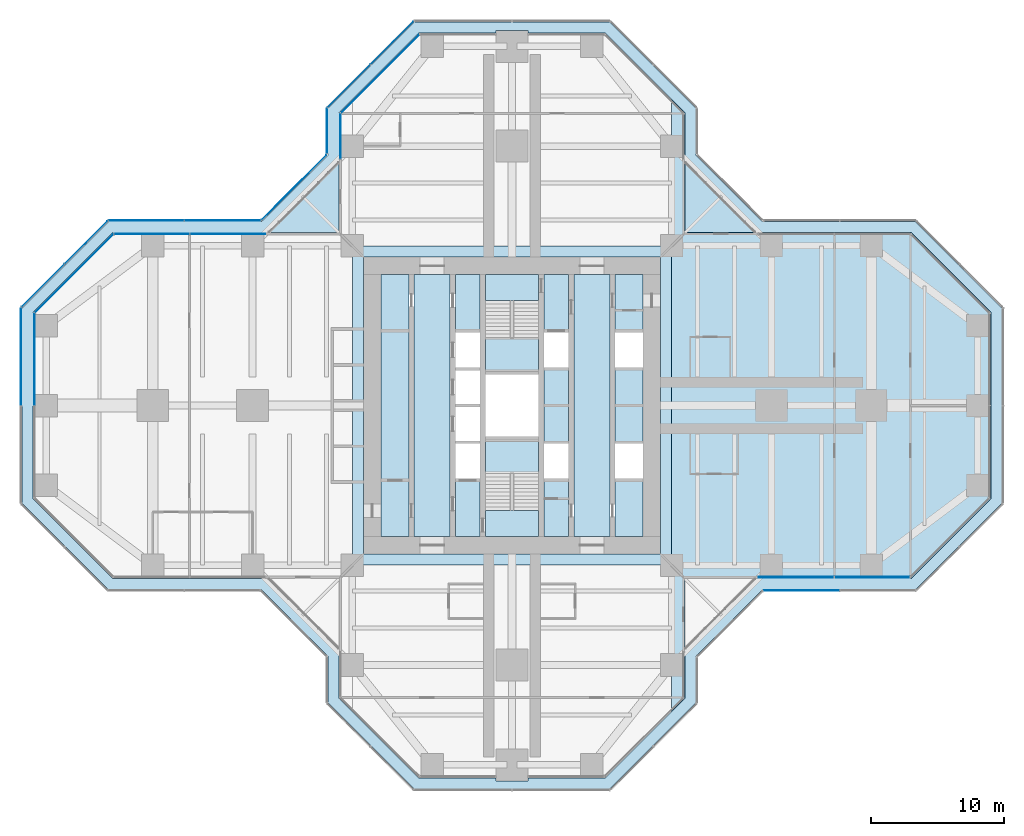
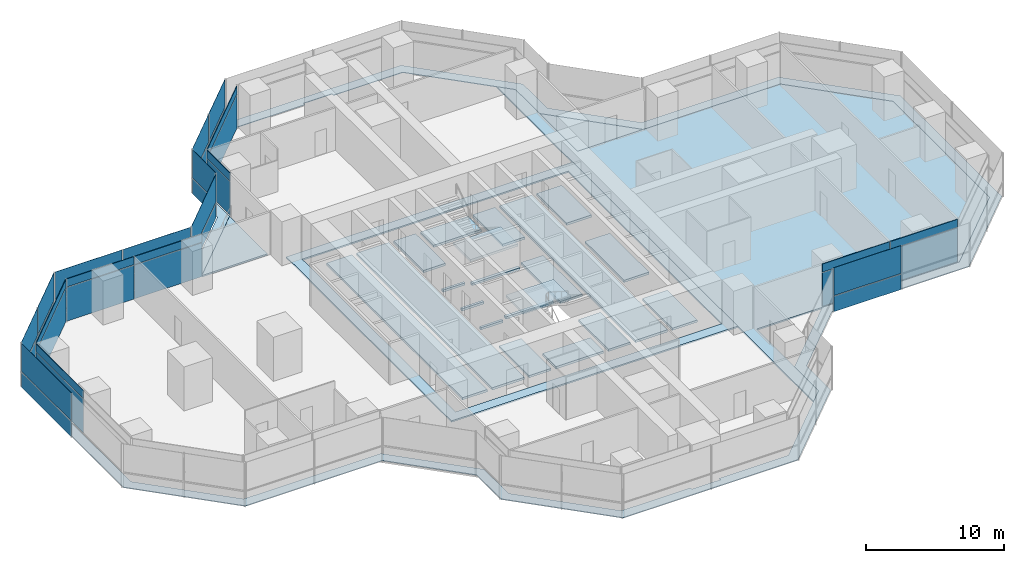
# One storey, part 13 of 20: 37 plates, 9 slabs, 15 elements without a shape of their own.
"""IFC4 building model written with IfcOpenShell, lengths in metres."""

from ifc_helpers import new_model, si_unit, direction, frame, origin, origin_2d, place, context, subcontext, project, spatial, polyline, rectangle, outline, extrude, material, layer, layer_set, type_object, element, aggregate, save


model = new_model("IFC4")

# Units and contexts
model_context = context("Model", 3, precision=1e-05, world=origin(), true_north=direction((0.0, 1.0)))
body_context = subcontext(model_context, "Body", "Model", "MODEL_VIEW")
ifc_project = project(units=[si_unit("LENGTHUNIT", "METRE"), si_unit("AREAUNIT", "SQUARE_METRE"), si_unit("VOLUMEUNIT", "CUBIC_METRE"), si_unit("PLANEANGLEUNIT", "RADIAN"), si_unit("MASSUNIT", "GRAM", prefix="KILO")], contexts=[model_context])

# Site, building, storey
site_placement = place(None, origin())
site = spatial("IfcSite", under=ifc_project, at=site_placement, CompositionType="ELEMENT")
building_placement = place(site_placement, origin())
building = spatial("IfcBuilding", under=site, at=building_placement, Name="Mizan Broadcast Tower", CompositionType="ELEMENT")
storey_placement = place(building_placement, frame((0.0, 0.0, 190.5)))
storey = spatial("IfcBuildingStorey", under=building, at=storey_placement, Name="L44", CompositionType="ELEMENT", Elevation=190.5)

# Plate
ifc_material_1 = material(Name="Aluminium grating", Category="aluminium")
ifc_layer_1 = layer(ifc_material_1, 0.050048828125)
ifc_layer_set_1 = layer_set([ifc_layer_1], Name="Aluminium grating")
plate_type_1 = type_object("IfcPlateType", Name="CAVITY GRATING", PredefinedType="USERDEFINED", material=ifc_layer_set_1)
plate_1_placement = place(storey_placement, frame((0.0, 0.0, -0.050048828125)))
element("IfcPlate", 1, at=plate_1_placement, inside=storey, type_object=plate_type_1, Name="Cavity grating L44", ObjectType="GRATING", PredefinedType="USERDEFINED", context=body_context, shape_type="SweptSolid", body=[
    extrude(outline(polyline([(13.820068359375, -18.839599609375), (18.839599609375, -13.820068359375), (30.339599609375, -13.820068359375), (36.820068359375, -7.339599609375), (36.820068359375, 7.339599609375), (30.339599609375, 13.820068359375), (18.839599609375, 13.820068359375), (13.820068359375, 18.839599609375), (13.820068359375, 22.339599609375), (7.339599609375, 28.820068359375), (-7.339599609375, 28.820068359375), (-13.820068359375, 22.339599609375), (-13.820068359375, 18.839599609375), (-18.839599609375, 13.820068359375), (-30.339599609375, 13.820068359375), (-36.820068359375, 7.339599609375), (-36.820068359375, -7.339599609375), (-30.339599609375, -13.820068359375), (-18.839599609375, -13.820068359375), (-13.820068359375, -18.839599609375), (-13.820068359375, -22.339599609375), (-7.339599609375, -28.820068359375), (7.339599609375, -28.820068359375), (13.820068359375, -22.339599609375), (13.820068359375, -18.839599609375)]), holes=[polyline([(36.0, 7.0), (36.0, -7.0), (30.0, -13.0), (18.5, -13.0), (13.0, -18.5), (13.0, -22.0), (7.0, -28.0), (1.199951171875, -28.0), (1.199951171875, -28.199951171875), (-1.199951171875, -28.199951171875), (-1.199951171875, -28.0), (-7.0, -28.0), (-13.0, -22.0), (-13.0, -18.5), (-18.5, -13.0), (-30.0, -13.0), (-36.0, -7.0), (-36.0, 7.0), (-30.0, 13.0), (-18.5, 13.0), (-13.0, 18.5), (-13.0, 22.0), (-7.0, 28.0), (-1.199951171875, 28.0), (-1.199951171875, 28.199951171875), (1.199951171875, 28.199951171875), (1.199951171875, 28.0), (7.0, 28.0), (13.0, 22.0), (13.0, 18.5), (18.5, 13.0), (30.0, 13.0), (36.0, 7.0)])]), origin(), (0.0, 0.0, 1.0), 0.050048828125),
])

# Slabs
ifc_material_2 = material(Name="Concrete C32/40", Category="concrete")
ifc_layer_2 = layer(ifc_material_2, 0.1298828125)
ifc_layer_set_2 = layer_set([ifc_layer_2], Name="Concrete C32/40")
slab_type_1 = type_object("IfcSlabType", Name="COMPOSITE DECK SLAB 130", PredefinedType="FLOOR", material=ifc_layer_set_2)
slab_1_placement = place(storey_placement, frame((0.0, 0.0, -0.1298828125)))
element("IfcSlab", 2, at=slab_1_placement, inside=storey, type_object=slab_type_1, Name="Floor slab L44 centre", PredefinedType="FLOOR", context=body_context, shape_type="SweptSolid", body=[
    extrude(outline(polyline([(-12.0, -12.0), (12.0, -12.0), (12.0, 12.0), (-12.0, 12.0), (-12.0, -12.0)]), holes=[polyline([(-11.14990234375, 11.14990234375), (11.14990234375, 11.14990234375), (11.14990234375, -11.14990234375), (-11.14990234375, -11.14990234375), (-11.14990234375, 11.14990234375)])]), origin(), (0.0, 0.0, 1.0), 0.1298828125),
])
slab_2_placement = place(storey_placement, frame((0.0, 0.0, -0.1298828125)))
element("IfcSlab", 3, at=slab_2_placement, inside=storey, type_object=slab_type_1, Name="Floor slab L44 east arm", PredefinedType="FLOOR", context=body_context, shape_type="SweptSolid", body=[
    extrude(outline(polyline([(12.0, -23.0), (13.0, -22.0), (13.0, -13.0), (30.0, -13.0), (36.0, -7.0), (36.0, 7.0), (30.0, 13.0), (13.0, 13.0), (13.0, 22.0), (12.0, 23.0), (12.0, -23.0)])), origin(), (0.0, 0.0, 1.0), 0.1298828125),
])
ifc_material_3 = material(Name="Concrete C40/50", Category="concrete")
ifc_layer_3 = layer(ifc_material_3, 0.199951171875)
ifc_layer_set_3 = layer_set([ifc_layer_3], Name="Concrete C40/50")
slab_type_2 = type_object("IfcSlabType", Name="CORE FLOOR 200", PredefinedType="FLOOR", material=ifc_layer_set_3)
slab_3_placement = place(storey_placement, frame((0.0, 0.0, -0.199951171875)))
element("IfcSlab", 4, at=slab_3_placement, inside=storey, type_object=slab_type_2, Name="Core floor L44", PredefinedType="FLOOR", context=body_context, shape_type="SweptSolid", body=[
    extrude(outline(polyline([(-9.85009765625, -9.85009765625), (-7.75, -9.85009765625), (-7.75, 9.85009765625), (-9.85009765625, 9.85009765625), (-9.85009765625, -9.85009765625)])), origin(), (0.0, 0.0, 1.0), 0.199951171875),
    extrude(outline(polyline([(-4.64990234375, 9.85009765625), (-7.35009765625, 9.85009765625), (-7.35009765625, -9.85009765625), (-4.64990234375, -9.85009765625), (-4.64990234375, 9.85009765625)])), origin(), (0.0, 0.0, 1.0), 0.199951171875),
    extrude(outline(polyline([(-4.25, -5.5), (-4.25, -9.85009765625), (-2.39990234375, -9.85009765625), (-2.39990234375, -5.5), (-4.25, -5.5)])), origin(), (0.0, 0.0, 1.0), 0.199951171875),
    extrude(outline(polyline([(-4.25, -2.85009765625), (-2.39990234375, -2.85009765625), (-2.39990234375, -2.64990234375), (-4.25, -2.64990234375), (-4.25, -2.85009765625)])), origin(), (0.0, 0.0, 1.0), 0.199951171875),
    extrude(outline(polyline([(-4.25, -0.10009765625), (-2.39990234375, -0.10009765625), (-2.39990234375, 0.10009765625), (-4.25, 0.10009765625), (-4.25, -0.10009765625)])), origin(), (0.0, 0.0, 1.0), 0.199951171875),
    extrude(outline(polyline([(-4.25, 2.64990234375), (-2.39990234375, 2.64990234375), (-2.39990234375, 2.85009765625), (-4.25, 2.85009765625), (-4.25, 2.64990234375)])), origin(), (0.0, 0.0, 1.0), 0.199951171875),
    extrude(outline(polyline([(-4.25, 5.5), (-2.39990234375, 5.5), (-2.39990234375, 9.85009765625), (-4.25, 9.85009765625), (-4.25, 5.5)])), origin(), (0.0, 0.0, 1.0), 0.199951171875),
    extrude(outline(polyline([(2.0, -2.324951171875), (-2.0, -2.324951171875), (-2.0, -2.574951171875), (2.0, -2.574951171875), (2.0, -2.324951171875)])), origin(), (0.0, 0.0, 1.0), 0.199951171875),
    extrude(outline(polyline([(2.0, 2.574951171875), (-2.0, 2.574951171875), (-2.0, 2.324951171875), (2.0, 2.324951171875), (2.0, 2.574951171875)])), origin(), (0.0, 0.0, 1.0), 0.199951171875),
    extrude(outline(polyline([(4.25, -9.85009765625), (4.25, -5.5), (2.39990234375, -5.5), (2.39990234375, -9.85009765625), (4.25, -9.85009765625)])), origin(), (0.0, 0.0, 1.0), 0.199951171875),
    extrude(outline(polyline([(4.25, -2.85009765625), (4.25, 2.85009765625), (2.39990234375, 2.85009765625), (2.39990234375, -2.85009765625), (4.25, -2.85009765625)])), origin(), (0.0, 0.0, 1.0), 0.199951171875),
    extrude(outline(polyline([(4.25, 5.5), (4.25, 9.85009765625), (2.39990234375, 9.85009765625), (2.39990234375, 5.5), (4.25, 5.5)])), origin(), (0.0, 0.0, 1.0), 0.199951171875),
    extrude(outline(polyline([(4.64990234375, 9.85009765625), (4.64990234375, -9.85009765625), (7.35009765625, -9.85009765625), (7.35009765625, 9.85009765625), (4.64990234375, 9.85009765625)])), origin(), (0.0, 0.0, 1.0), 0.199951171875),
    extrude(outline(polyline([(9.85009765625, -9.85009765625), (9.85009765625, -5.5), (7.75, -5.5), (7.75, -9.85009765625), (9.85009765625, -9.85009765625)])), origin(), (0.0, 0.0, 1.0), 0.199951171875),
    extrude(outline(polyline([(7.75, -2.85009765625), (9.85009765625, -2.85009765625), (9.85009765625, 2.85009765625), (7.75, 2.85009765625), (7.75, -2.85009765625)])), origin(), (0.0, 0.0, 1.0), 0.199951171875),
    extrude(outline(polyline([(9.85009765625, 5.5), (9.85009765625, 9.85009765625), (7.75, 9.85009765625), (7.75, 5.5), (9.85009765625, 5.5)])), origin(), (0.0, 0.0, 1.0), 0.199951171875),
])

# Curtain wall, plates
ifc_material_4 = material(Name="Aluminium framed glazing", Category="aluminium")
curtain_wall_type_1 = type_object("IfcCurtainWallType", Name="INNER SKIN MID ZONE", PredefinedType="USERDEFINED", material=ifc_material_4)
curtain_wall_1_placement = place(storey_placement, origin())
curtain_wall_1 = element("IfcCurtainWall", 5, at=curtain_wall_1_placement, inside=storey, type_object=curtain_wall_type_1, Name="Inner skin mid zone L44 E side", ObjectType="INNER SKIN MID ZONE", PredefinedType="USERDEFINED")
ifc_material_5 = material(Name="Double glazing, clear low-e", Category="glass")
ifc_layer_4 = layer(ifc_material_5, 0.028076171875)
ifc_layer_set_4 = layer_set([ifc_layer_4], Name="Double glazing, clear low-e")
plate_type_2 = type_object("IfcPlateType", Name="INNER SKIN GLAZING UNIT", PredefinedType="CURTAIN_PANEL", material=ifc_layer_set_4)
plate_2_placement = place(storey_placement, frame((21.379638671875, -12.89990234375, 0.0), z_axis=(0.0, 0.0, 1.0), x_axis=(1.0, 0.0, 0.0)))
plate_2 = element("IfcPlate", 6, at=plate_2_placement, type_object=plate_type_2, Name="Inner skin mid zone L44 E side panel 1.1", PredefinedType="CURTAIN_PANEL", context=body_context, shape_type="SweptSolid", body=[
    extrude(rectangle(XDim=5.639404296875, YDim=0.028076171875, at=origin_2d()), origin(), (0.0, 0.0, 1.0), 3.0),
])
plate_3_placement = place(storey_placement, frame((27.078857421875, -12.89990234375, 0.0), z_axis=(0.0, 0.0, 1.0), x_axis=(1.0, 0.0, 0.0)))
plate_3 = element("IfcPlate", 7, at=plate_3_placement, type_object=plate_type_2, Name="Inner skin mid zone L44 E side panel 2.1", PredefinedType="CURTAIN_PANEL", context=body_context, shape_type="SweptSolid", body=[
    extrude(rectangle(XDim=5.639404296875, YDim=0.028076171875, at=origin_2d()), origin(), (0.0, 0.0, 1.0), 3.0),
])

# Curtain wall, plate
curtain_wall_2_placement = place(storey_placement, origin())
curtain_wall_2 = element("IfcCurtainWall", 8, at=curtain_wall_2_placement, inside=storey, type_object=curtain_wall_type_1, Name="Inner skin mid zone L44 N chamfer", ObjectType="INNER SKIN MID ZONE", PredefinedType="USERDEFINED")
plate_4_placement = place(storey_placement, frame((-9.92919921875, 24.92919921875, 0.0), z_axis=(0.0, 0.0, 1.0), x_axis=(-0.707106781187, -0.707106781187, 0.0)))
plate_4 = element("IfcPlate", 9, at=plate_4_placement, type_object=plate_type_2, Name="Inner skin mid zone L44 N chamfer panel 1.1", PredefinedType="CURTAIN_PANEL", context=body_context, shape_type="SweptSolid", body=[
    extrude(rectangle(XDim=8.282470703125, YDim=0.028076171875, at=origin_2d()), origin(), (0.0, 0.0, 1.0), 3.0),
])

curtain_wall_3_placement = place(storey_placement, origin())
curtain_wall_3 = element("IfcCurtainWall", 10, at=curtain_wall_3_placement, inside=storey, type_object=curtain_wall_type_1, Name="Inner skin mid zone L44 N side", ObjectType="INNER SKIN MID ZONE", PredefinedType="USERDEFINED")
plate_5_placement = place(storey_placement, frame((-12.89990234375, 20.229248046875, 0.0), z_axis=(0.0, 0.0, 1.0), x_axis=(0.0, -1.0, 0.0)))
plate_5 = element("IfcPlate", 11, at=plate_5_placement, type_object=plate_type_2, Name="Inner skin mid zone L44 N side panel 1.1", PredefinedType="CURTAIN_PANEL", context=body_context, shape_type="SweptSolid", body=[
    extrude(rectangle(XDim=3.338623046875, YDim=0.028076171875, at=origin_2d()), origin(), (0.0, 0.0, 1.0), 3.0),
])

# Curtain wall, plates
curtain_wall_4_placement = place(storey_placement, origin())
curtain_wall_4 = element("IfcCurtainWall", 12, at=curtain_wall_4_placement, inside=storey, type_object=curtain_wall_type_1, Name="Inner skin mid zone L44 W side", ObjectType="INNER SKIN MID ZONE", PredefinedType="USERDEFINED")
plate_6_placement = place(storey_placement, frame((-21.379638671875, 12.89990234375, 0.0), z_axis=(0.0, 0.0, 1.0), x_axis=(-1.0, 0.0, 0.0)))
plate_6 = element("IfcPlate", 13, at=plate_6_placement, type_object=plate_type_2, Name="Inner skin mid zone L44 W side panel 1.1", PredefinedType="CURTAIN_PANEL", context=body_context, shape_type="SweptSolid", body=[
    extrude(rectangle(XDim=5.639404296875, YDim=0.028076171875, at=origin_2d()), origin(), (0.0, 0.0, 1.0), 3.0),
])
plate_7_placement = place(storey_placement, frame((-27.078857421875, 12.89990234375, 0.0), z_axis=(0.0, 0.0, 1.0), x_axis=(-1.0, 0.0, 0.0)))
plate_7 = element("IfcPlate", 14, at=plate_7_placement, type_object=plate_type_2, Name="Inner skin mid zone L44 W side panel 2.1", PredefinedType="CURTAIN_PANEL", context=body_context, shape_type="SweptSolid", body=[
    extrude(rectangle(XDim=5.639404296875, YDim=0.028076171875, at=origin_2d()), origin(), (0.0, 0.0, 1.0), 3.0),
])

# Curtain wall, plate
curtain_wall_5_placement = place(storey_placement, origin())
curtain_wall_5 = element("IfcCurtainWall", 15, at=curtain_wall_5_placement, inside=storey, type_object=curtain_wall_type_1, Name="Inner skin mid zone L44 W chamfer", ObjectType="INNER SKIN MID ZONE", PredefinedType="USERDEFINED")
plate_8_placement = place(storey_placement, frame((-32.92919921875, 9.92919921875, 0.0), z_axis=(0.0, 0.0, 1.0), x_axis=(-0.707106781187, -0.707106781187, 0.0)))
plate_8 = element("IfcPlate", 16, at=plate_8_placement, type_object=plate_type_2, Name="Inner skin mid zone L44 W chamfer panel 1.1", PredefinedType="CURTAIN_PANEL", context=body_context, shape_type="SweptSolid", body=[
    extrude(rectangle(XDim=8.282470703125, YDim=0.028076171875, at=origin_2d()), origin(), (0.0, 0.0, 1.0), 3.0),
])

curtain_wall_6_placement = place(storey_placement, origin())
curtain_wall_6 = element("IfcCurtainWall", 17, at=curtain_wall_6_placement, inside=storey, type_object=curtain_wall_type_1, Name="Inner skin mid zone L44 W end", ObjectType="INNER SKIN MID ZONE", PredefinedType="USERDEFINED")
plate_9_placement = place(storey_placement, frame((-35.89990234375, 3.46435546875, 0.0), z_axis=(0.0, 0.0, 1.0), x_axis=(0.0, -1.0, 0.0)))
plate_9 = element("IfcPlate", 18, at=plate_9_placement, type_object=plate_type_2, Name="Inner skin mid zone L44 W end panel 1.1", PredefinedType="CURTAIN_PANEL", context=body_context, shape_type="SweptSolid", body=[
    extrude(rectangle(XDim=6.86865234375, YDim=0.028076171875, at=origin_2d()), origin(), (0.0, 0.0, 1.0), 3.0),
])

# Plate
ifc_material_6 = material(Name="Insulated aluminium spandrel panel, pale anodised", Category="aluminium")
ifc_layer_5 = layer(ifc_material_6, 0.050048828125)
ifc_layer_set_5 = layer_set([ifc_layer_5], Name="Insulated aluminium spandrel panel, pale anodised")
plate_type_3 = type_object("IfcPlateType", Name="INNER SKIN SPANDREL PANEL", PredefinedType="CURTAIN_PANEL", material=ifc_layer_set_5)
plate_10_placement = place(storey_placement, frame((21.379638671875, -12.89990234375, 3.06005859375), z_axis=(0.0, 0.0, 1.0), x_axis=(1.0, 0.0, 0.0)))
plate_10 = element("IfcPlate", 19, at=plate_10_placement, type_object=plate_type_3, Name="Inner skin mid zone L44 E side panel 1.2", PredefinedType="CURTAIN_PANEL", context=body_context, shape_type="SweptSolid", body=[
    extrude(rectangle(XDim=5.639404296875, YDim=0.050048828125, at=origin_2d()), origin(), (0.0, 0.0, 1.0), 0.7099609375),
])

plate_11_placement = place(storey_placement, frame((27.078857421875, -12.89990234375, 3.06005859375), z_axis=(0.0, 0.0, 1.0), x_axis=(1.0, 0.0, 0.0)))
plate_11 = element("IfcPlate", 20, at=plate_11_placement, type_object=plate_type_3, Name="Inner skin mid zone L44 E side panel 2.2", PredefinedType="CURTAIN_PANEL", context=body_context, shape_type="SweptSolid", body=[
    extrude(rectangle(XDim=5.639404296875, YDim=0.050048828125, at=origin_2d()), origin(), (0.0, 0.0, 1.0), 0.7099609375),
])

aggregate(curtain_wall_1, [plate_2, plate_10, plate_3, plate_11])

plate_12_placement = place(storey_placement, frame((-9.92919921875, 24.92919921875, 3.06005859375), z_axis=(0.0, 0.0, 1.0), x_axis=(-0.707106781187, -0.707106781187, 0.0)))
plate_12 = element("IfcPlate", 21, at=plate_12_placement, type_object=plate_type_3, Name="Inner skin mid zone L44 N chamfer panel 1.2", PredefinedType="CURTAIN_PANEL", context=body_context, shape_type="SweptSolid", body=[
    extrude(rectangle(XDim=8.282470703125, YDim=0.050048828125, at=origin_2d()), origin(), (0.0, 0.0, 1.0), 0.7099609375),
])

aggregate(curtain_wall_2, [plate_4, plate_12])

plate_13_placement = place(storey_placement, frame((-12.89990234375, 20.229248046875, 3.06005859375), z_axis=(0.0, 0.0, 1.0), x_axis=(0.0, -1.0, 0.0)))
plate_13 = element("IfcPlate", 22, at=plate_13_placement, type_object=plate_type_3, Name="Inner skin mid zone L44 N side panel 1.2", PredefinedType="CURTAIN_PANEL", context=body_context, shape_type="SweptSolid", body=[
    extrude(rectangle(XDim=3.338623046875, YDim=0.050048828125, at=origin_2d()), origin(), (0.0, 0.0, 1.0), 0.7099609375),
])

aggregate(curtain_wall_3, [plate_5, plate_13])

plate_14_placement = place(storey_placement, frame((-21.379638671875, 12.89990234375, 3.06005859375), z_axis=(0.0, 0.0, 1.0), x_axis=(-1.0, 0.0, 0.0)))
plate_14 = element("IfcPlate", 23, at=plate_14_placement, type_object=plate_type_3, Name="Inner skin mid zone L44 W side panel 1.2", PredefinedType="CURTAIN_PANEL", context=body_context, shape_type="SweptSolid", body=[
    extrude(rectangle(XDim=5.639404296875, YDim=0.050048828125, at=origin_2d()), origin(), (0.0, 0.0, 1.0), 0.7099609375),
])

plate_15_placement = place(storey_placement, frame((-27.078857421875, 12.89990234375, 3.06005859375), z_axis=(0.0, 0.0, 1.0), x_axis=(-1.0, 0.0, 0.0)))
plate_15 = element("IfcPlate", 24, at=plate_15_placement, type_object=plate_type_3, Name="Inner skin mid zone L44 W side panel 2.2", PredefinedType="CURTAIN_PANEL", context=body_context, shape_type="SweptSolid", body=[
    extrude(rectangle(XDim=5.639404296875, YDim=0.050048828125, at=origin_2d()), origin(), (0.0, 0.0, 1.0), 0.7099609375),
])

aggregate(curtain_wall_4, [plate_6, plate_14, plate_7, plate_15])

plate_16_placement = place(storey_placement, frame((-32.92919921875, 9.92919921875, 3.06005859375), z_axis=(0.0, 0.0, 1.0), x_axis=(-0.707106781187, -0.707106781187, 0.0)))
plate_16 = element("IfcPlate", 25, at=plate_16_placement, type_object=plate_type_3, Name="Inner skin mid zone L44 W chamfer panel 1.2", PredefinedType="CURTAIN_PANEL", context=body_context, shape_type="SweptSolid", body=[
    extrude(rectangle(XDim=8.282470703125, YDim=0.050048828125, at=origin_2d()), origin(), (0.0, 0.0, 1.0), 0.7099609375),
])

aggregate(curtain_wall_5, [plate_8, plate_16])

plate_17_placement = place(storey_placement, frame((-35.89990234375, 3.46435546875, 3.06005859375), z_axis=(0.0, 0.0, 1.0), x_axis=(0.0, -1.0, 0.0)))
plate_17 = element("IfcPlate", 26, at=plate_17_placement, type_object=plate_type_3, Name="Inner skin mid zone L44 W end panel 1.2", PredefinedType="CURTAIN_PANEL", context=body_context, shape_type="SweptSolid", body=[
    extrude(rectangle(XDim=6.86865234375, YDim=0.050048828125, at=origin_2d()), origin(), (0.0, 0.0, 1.0), 0.7099609375),
])

aggregate(curtain_wall_6, [plate_9, plate_17])

# Curtain wall, plates
ifc_material_7 = material(Name="Aluminium framed glazing", Category="aluminium")
curtain_wall_type_2 = type_object("IfcCurtainWallType", Name="OUTER SKIN", PredefinedType="USERDEFINED", material=ifc_material_7)
curtain_wall_7_placement = place(storey_placement, origin())
curtain_wall_7 = element("IfcCurtainWall", 27, at=curtain_wall_7_placement, inside=storey, type_object=curtain_wall_type_2, Name="Outer skin L44 N chamfer", ObjectType="OUTER SKIN", PredefinedType="USERDEFINED")
ifc_material_8 = material(Name="Laminated clear glass", Category="glass")
ifc_layer_6 = layer(ifc_material_8, 0.02001953125)
ifc_layer_set_6 = layer_set([ifc_layer_6], Name="Laminated clear glass")
plate_type_4 = type_object("IfcPlateType", Name="OUTER SKIN CLEAR GLASS", PredefinedType="CURTAIN_PANEL", material=ifc_layer_set_6)
plate_18_placement = place(storey_placement, frame((-9.018798828125, 27.254150390625, 0.0), z_axis=(0.0, 0.0, 1.0), x_axis=(-0.707106781187, -0.707106781187, 0.0)))
plate_18 = element("IfcPlate", 28, at=plate_18_placement, type_object=plate_type_4, Name="Outer skin L44 N chamfer panel 1.1", PredefinedType="CURTAIN_PANEL", context=body_context, shape_type="SweptSolid", body=[
    extrude(rectangle(XDim=4.495361328125, YDim=0.02001953125, at=origin_2d()), origin(), (0.0, 0.0, 1.0), 1.3701171875),
])
plate_19_placement = place(storey_placement, frame((-9.018798828125, 27.254150390625, 1.43017578125), z_axis=(0.0, 0.0, 1.0), x_axis=(-0.707106781187, -0.707106781187, 0.0)))
plate_19 = element("IfcPlate", 29, at=plate_19_placement, type_object=plate_type_4, Name="Outer skin L44 N chamfer panel 1.2", PredefinedType="CURTAIN_PANEL", context=body_context, shape_type="SweptSolid", body=[
    extrude(rectangle(XDim=4.495361328125, YDim=0.02001953125, at=origin_2d()), origin(), (0.0, 0.0, 1.0), 2.469970703125),
])

curtain_wall_8_placement = place(storey_placement, origin())
curtain_wall_8 = element("IfcCurtainWall", 30, at=curtain_wall_8_placement, inside=storey, type_object=curtain_wall_type_2, Name="Outer skin L44 N side", ObjectType="OUTER SKIN", PredefinedType="USERDEFINED")
plate_20_placement = place(storey_placement, frame((-13.89990234375, 20.622802734375, 0.0), z_axis=(0.0, 0.0, 1.0), x_axis=(0.0, -1.0, 0.0)))
plate_20 = element("IfcPlate", 31, at=plate_20_placement, type_object=plate_type_4, Name="Outer skin L44 N side panel 1.1", PredefinedType="CURTAIN_PANEL", context=body_context, shape_type="SweptSolid", body=[
    extrude(rectangle(XDim=3.340087890625, YDim=0.02001953125, at=origin_2d()), origin(), (0.0, 0.0, 1.0), 1.3701171875),
])
plate_21_placement = place(storey_placement, frame((-13.89990234375, 20.622802734375, 1.43017578125), z_axis=(0.0, 0.0, 1.0), x_axis=(0.0, -1.0, 0.0)))
plate_21 = element("IfcPlate", 32, at=plate_21_placement, type_object=plate_type_4, Name="Outer skin L44 N side panel 1.2", PredefinedType="CURTAIN_PANEL", context=body_context, shape_type="SweptSolid", body=[
    extrude(rectangle(XDim=3.340087890625, YDim=0.02001953125, at=origin_2d()), origin(), (0.0, 0.0, 1.0), 2.469970703125),
])
aggregate(curtain_wall_8, [plate_20, plate_21])

curtain_wall_9_placement = place(storey_placement, origin())
curtain_wall_9 = element("IfcCurtainWall", 33, at=curtain_wall_9_placement, inside=storey, type_object=curtain_wall_type_2, Name="Outer skin L44 W chamfer", ObjectType="OUTER SKIN", PredefinedType="USERDEFINED")
plate_22_placement = place(storey_placement, frame((-16.386474609375, 16.386474609375, 0.0), z_axis=(0.0, 0.0, 1.0), x_axis=(-0.707106781187, -0.707106781187, 0.0)))
plate_22 = element("IfcPlate", 34, at=plate_22_placement, type_object=plate_type_4, Name="Outer skin L44 W chamfer panel 1.1", PredefinedType="CURTAIN_PANEL", context=body_context, shape_type="SweptSolid", body=[
    extrude(rectangle(XDim=6.87255859375, YDim=0.02001953125, at=origin_2d()), origin(), (0.0, 0.0, 1.0), 1.3701171875),
])
plate_23_placement = place(storey_placement, frame((-16.386474609375, 16.386474609375, 1.43017578125), z_axis=(0.0, 0.0, 1.0), x_axis=(-0.707106781187, -0.707106781187, 0.0)))
plate_23 = element("IfcPlate", 35, at=plate_23_placement, type_object=plate_type_4, Name="Outer skin L44 W chamfer panel 1.2", PredefinedType="CURTAIN_PANEL", context=body_context, shape_type="SweptSolid", body=[
    extrude(rectangle(XDim=6.87255859375, YDim=0.02001953125, at=origin_2d()), origin(), (0.0, 0.0, 1.0), 2.469970703125),
])
aggregate(curtain_wall_9, [plate_22, plate_23])

curtain_wall_10_placement = place(storey_placement, origin())
curtain_wall_10 = element("IfcCurtainWall", 36, at=curtain_wall_10_placement, inside=storey, type_object=curtain_wall_type_2, Name="Outer skin L44 W side", ObjectType="OUTER SKIN", PredefinedType="USERDEFINED")
plate_24_placement = place(storey_placement, frame((-21.767822265625, 13.89990234375, 0.0), z_axis=(0.0, 0.0, 1.0), x_axis=(-1.0, 0.0, 0.0)))
plate_24 = element("IfcPlate", 37, at=plate_24_placement, type_object=plate_type_4, Name="Outer skin L44 W side panel 1.1", PredefinedType="CURTAIN_PANEL", context=body_context, shape_type="SweptSolid", body=[
    extrude(rectangle(XDim=5.6298828125, YDim=0.02001953125, at=origin_2d()), origin(), (0.0, 0.0, 1.0), 1.3701171875),
])
plate_25_placement = place(storey_placement, frame((-21.767822265625, 13.89990234375, 1.43017578125), z_axis=(0.0, 0.0, 1.0), x_axis=(-1.0, 0.0, 0.0)))
plate_25 = element("IfcPlate", 38, at=plate_25_placement, type_object=plate_type_4, Name="Outer skin L44 W side panel 1.2", PredefinedType="CURTAIN_PANEL", context=body_context, shape_type="SweptSolid", body=[
    extrude(rectangle(XDim=5.6298828125, YDim=0.02001953125, at=origin_2d()), origin(), (0.0, 0.0, 1.0), 2.469970703125),
])
plate_26_placement = place(storey_placement, frame((-27.477783203125, 13.89990234375, 0.0), z_axis=(0.0, 0.0, 1.0), x_axis=(-1.0, 0.0, 0.0)))
plate_26 = element("IfcPlate", 39, at=plate_26_placement, type_object=plate_type_4, Name="Outer skin L44 W side panel 2.1", PredefinedType="CURTAIN_PANEL", context=body_context, shape_type="SweptSolid", body=[
    extrude(rectangle(XDim=5.6298828125, YDim=0.02001953125, at=origin_2d()), origin(), (0.0, 0.0, 1.0), 1.3701171875),
])
plate_27_placement = place(storey_placement, frame((-27.477783203125, 13.89990234375, 1.43017578125), z_axis=(0.0, 0.0, 1.0), x_axis=(-1.0, 0.0, 0.0)))
plate_27 = element("IfcPlate", 40, at=plate_27_placement, type_object=plate_type_4, Name="Outer skin L44 W side panel 2.2", PredefinedType="CURTAIN_PANEL", context=body_context, shape_type="SweptSolid", body=[
    extrude(rectangle(XDim=5.6298828125, YDim=0.02001953125, at=origin_2d()), origin(), (0.0, 0.0, 1.0), 2.469970703125),
])
aggregate(curtain_wall_10, [plate_24, plate_25, plate_26, plate_27])

curtain_wall_11_placement = place(storey_placement, origin())
curtain_wall_11 = element("IfcCurtainWall", 41, at=curtain_wall_11_placement, inside=storey, type_object=curtain_wall_type_2, Name="Outer skin L44 W chamfer", ObjectType="OUTER SKIN", PredefinedType="USERDEFINED")
plate_28_placement = place(storey_placement, frame((-32.018798828125, 12.254150390625, 0.0), z_axis=(0.0, 0.0, 1.0), x_axis=(-0.707106781187, -0.707106781187, 0.0)))
plate_28 = element("IfcPlate", 42, at=plate_28_placement, type_object=plate_type_4, Name="Outer skin L44 W chamfer panel 1.1", PredefinedType="CURTAIN_PANEL", context=body_context, shape_type="SweptSolid", body=[
    extrude(rectangle(XDim=4.495361328125, YDim=0.02001953125, at=origin_2d()), origin(), (0.0, 0.0, 1.0), 1.3701171875),
])
plate_29_placement = place(storey_placement, frame((-32.018798828125, 12.254150390625, 1.43017578125), z_axis=(0.0, 0.0, 1.0), x_axis=(-0.707106781187, -0.707106781187, 0.0)))
plate_29 = element("IfcPlate", 43, at=plate_29_placement, type_object=plate_type_4, Name="Outer skin L44 W chamfer panel 1.2", PredefinedType="CURTAIN_PANEL", context=body_context, shape_type="SweptSolid", body=[
    extrude(rectangle(XDim=4.495361328125, YDim=0.02001953125, at=origin_2d()), origin(), (0.0, 0.0, 1.0), 2.469970703125),
])

curtain_wall_12_placement = place(storey_placement, origin())
curtain_wall_12 = element("IfcCurtainWall", 44, at=curtain_wall_12_placement, inside=storey, type_object=curtain_wall_type_2, Name="Outer skin L44 W end", ObjectType="OUTER SKIN", PredefinedType="USERDEFINED")
plate_30_placement = place(storey_placement, frame((-36.89990234375, 3.66650390625, 0.0), z_axis=(0.0, 0.0, 1.0), x_axis=(0.0, -1.0, 0.0)))
plate_30 = element("IfcPlate", 45, at=plate_30_placement, type_object=plate_type_4, Name="Outer skin L44 W end panel 1.1", PredefinedType="CURTAIN_PANEL", context=body_context, shape_type="SweptSolid", body=[
    extrude(rectangle(XDim=7.252685546875, YDim=0.02001953125, at=origin_2d()), origin(), (0.0, 0.0, 1.0), 1.3701171875),
])
plate_31_placement = place(storey_placement, frame((-36.89990234375, 3.66650390625, 1.43017578125), z_axis=(0.0, 0.0, 1.0), x_axis=(0.0, -1.0, 0.0)))
plate_31 = element("IfcPlate", 46, at=plate_31_placement, type_object=plate_type_4, Name="Outer skin L44 W end panel 1.2", PredefinedType="CURTAIN_PANEL", context=body_context, shape_type="SweptSolid", body=[
    extrude(rectangle(XDim=7.252685546875, YDim=0.02001953125, at=origin_2d()), origin(), (0.0, 0.0, 1.0), 2.469970703125),
])
aggregate(curtain_wall_12, [plate_30, plate_31])

curtain_wall_13_placement = place(storey_placement, origin())
curtain_wall_13 = element("IfcCurtainWall", 47, at=curtain_wall_13_placement, inside=storey, type_object=curtain_wall_type_2, Name="Outer skin L44 E side", ObjectType="OUTER SKIN", PredefinedType="USERDEFINED")
plate_32_placement = place(storey_placement, frame((21.767822265625, -13.89990234375, 0.0), z_axis=(0.0, 0.0, 1.0), x_axis=(1.0, 0.0, 0.0)))
plate_32 = element("IfcPlate", 48, at=plate_32_placement, type_object=plate_type_4, Name="Outer skin L44 E side panel 1.1", PredefinedType="CURTAIN_PANEL", context=body_context, shape_type="SweptSolid", body=[
    extrude(rectangle(XDim=5.6298828125, YDim=0.02001953125, at=origin_2d()), origin(), (0.0, 0.0, 1.0), 1.3701171875),
])
plate_33_placement = place(storey_placement, frame((21.767822265625, -13.89990234375, 1.43017578125), z_axis=(0.0, 0.0, 1.0), x_axis=(1.0, 0.0, 0.0)))
plate_33 = element("IfcPlate", 49, at=plate_33_placement, type_object=plate_type_4, Name="Outer skin L44 E side panel 1.2", PredefinedType="CURTAIN_PANEL", context=body_context, shape_type="SweptSolid", body=[
    extrude(rectangle(XDim=5.6298828125, YDim=0.02001953125, at=origin_2d()), origin(), (0.0, 0.0, 1.0), 2.469970703125),
])
aggregate(curtain_wall_13, [plate_32, plate_33])

# Plate
ifc_material_9 = material(Name="Perforated aluminium, pale anodised", Category="aluminium")
ifc_layer_7 = layer(ifc_material_9, 0.011962890625)
ifc_layer_set_7 = layer_set([ifc_layer_7], Name="Perforated aluminium, pale anodised")
plate_type_5 = type_object("IfcPlateType", Name="OUTER SKIN PERFORATED SCREEN", PredefinedType="USERDEFINED", material=ifc_layer_set_7)
plate_34_placement = place(storey_placement, frame((-12.254150390625, 24.018798828125, 0.0), z_axis=(0.0, 0.0, 1.0), x_axis=(-0.707106781187, -0.707106781187, 0.0)))
plate_34 = element("IfcPlate", 50, at=plate_34_placement, type_object=plate_type_5, Name="Outer skin L44 N chamfer panel 2.1", ObjectType="SCREEN", PredefinedType="USERDEFINED", context=body_context, shape_type="SweptSolid", body=[
    extrude(rectangle(XDim=4.495361328125, YDim=0.011962890625, at=origin_2d()), origin(), (0.0, 0.0, 1.0), 1.3701171875),
])

plate_35_placement = place(storey_placement, frame((-12.254150390625, 24.018798828125, 1.43017578125), z_axis=(0.0, 0.0, 1.0), x_axis=(-0.707106781187, -0.707106781187, 0.0)))
plate_35 = element("IfcPlate", 51, at=plate_35_placement, type_object=plate_type_5, Name="Outer skin L44 N chamfer panel 2.2", ObjectType="SCREEN", PredefinedType="USERDEFINED", context=body_context, shape_type="SweptSolid", body=[
    extrude(rectangle(XDim=4.495361328125, YDim=0.011962890625, at=origin_2d()), origin(), (0.0, 0.0, 1.0), 2.469970703125),
])

aggregate(curtain_wall_7, [plate_18, plate_19, plate_34, plate_35])

plate_36_placement = place(storey_placement, frame((-35.254150390625, 9.018798828125, 0.0), z_axis=(0.0, 0.0, 1.0), x_axis=(-0.707106781187, -0.707106781187, 0.0)))
plate_36 = element("IfcPlate", 52, at=plate_36_placement, type_object=plate_type_5, Name="Outer skin L44 W chamfer panel 2.1", ObjectType="SCREEN", PredefinedType="USERDEFINED", context=body_context, shape_type="SweptSolid", body=[
    extrude(rectangle(XDim=4.495361328125, YDim=0.011962890625, at=origin_2d()), origin(), (0.0, 0.0, 1.0), 1.3701171875),
])

plate_37_placement = place(storey_placement, frame((-35.254150390625, 9.018798828125, 1.43017578125), z_axis=(0.0, 0.0, 1.0), x_axis=(-0.707106781187, -0.707106781187, 0.0)))
plate_37 = element("IfcPlate", 53, at=plate_37_placement, type_object=plate_type_5, Name="Outer skin L44 W chamfer panel 2.2", ObjectType="SCREEN", PredefinedType="USERDEFINED", context=body_context, shape_type="SweptSolid", body=[
    extrude(rectangle(XDim=4.495361328125, YDim=0.011962890625, at=origin_2d()), origin(), (0.0, 0.0, 1.0), 2.469970703125),
])

aggregate(curtain_wall_11, [plate_28, plate_29, plate_36, plate_37])

# Stair, slabs
ifc_material_10 = material(Name="Concrete C40/50", Category="concrete")
stair_type = type_object("IfcStairType", Name="EXIT STAIR", PredefinedType="HALF_TURN_STAIR", material=ifc_material_10)
stair_1_placement = place(storey_placement, origin())
stair_1 = element("IfcStair", 54, at=stair_1_placement, inside=storey, type_object=stair_type, Name="Stair A L44", PredefinedType="HALF_TURN_STAIR")
ifc_material_11 = material(Name="Concrete C40/50", Category="concrete")
ifc_layer_8 = layer(ifc_material_11, 0.199951171875)
ifc_layer_set_8 = layer_set([ifc_layer_8], Name="Concrete C40/50")
slab_type_3 = type_object("IfcSlabType", Name="STAIR LANDING 200", PredefinedType="LANDING", material=ifc_layer_set_8)
slab_4_placement = place(storey_placement, frame((0.0, 0.0, -0.199951171875)))
slab_4 = element("IfcSlab", 55, at=slab_4_placement, type_object=slab_type_3, Name="A landing 1", PredefinedType="LANDING", context=body_context, shape_type="SweptSolid", body=[
    extrude(outline(polyline([(-2.0, -9.85009765625), (-2.0, -7.89990234375), (2.0, -7.89990234375), (2.0, -9.85009765625), (-2.0, -9.85009765625)])), origin(), (0.0, 0.0, 1.0), 0.199951171875),
])
slab_5_placement = place(storey_placement, frame((0.0, 0.0, 1.75)))
slab_5 = element("IfcSlab", 56, at=slab_5_placement, type_object=slab_type_3, Name="A landing 2", PredefinedType="LANDING", context=body_context, shape_type="SweptSolid", body=[
    extrude(outline(polyline([(-2.0, -5.10009765625), (-2.0, -2.574951171875), (2.0, -2.574951171875), (2.0, -5.10009765625), (-2.0, -5.10009765625)])), origin(), (0.0, 0.0, 1.0), 0.199951171875),
])
aggregate(stair_1, [slab_4, slab_5])

stair_2_placement = place(storey_placement, origin())
stair_2 = element("IfcStair", 57, at=stair_2_placement, inside=storey, type_object=stair_type, Name="Stair B L44", PredefinedType="HALF_TURN_STAIR")
slab_6_placement = place(storey_placement, frame((0.0, 0.0, -0.199951171875)))
slab_6 = element("IfcSlab", 58, at=slab_6_placement, type_object=slab_type_3, Name="B landing 1", PredefinedType="LANDING", context=body_context, shape_type="SweptSolid", body=[
    extrude(outline(polyline([(2.0, 9.85009765625), (2.0, 7.89990234375), (-2.0, 7.89990234375), (-2.0, 9.85009765625), (2.0, 9.85009765625)])), origin(), (0.0, 0.0, 1.0), 0.199951171875),
])
slab_7_placement = place(storey_placement, frame((0.0, 0.0, 1.75)))
slab_7 = element("IfcSlab", 59, at=slab_7_placement, type_object=slab_type_3, Name="B landing 2", PredefinedType="LANDING", context=body_context, shape_type="SweptSolid", body=[
    extrude(outline(polyline([(2.0, 5.10009765625), (2.0, 2.574951171875), (-2.0, 2.574951171875), (-2.0, 5.10009765625), (2.0, 5.10009765625)])), origin(), (0.0, 0.0, 1.0), 0.199951171875),
])
aggregate(stair_2, [slab_6, slab_7])

# Slabs
ifc_material_12 = material(Name="Concrete C32/40", Category="concrete")
ifc_layer_9 = layer(ifc_material_12, 0.1298828125)
ifc_layer_set_9 = layer_set([ifc_layer_9], Name="Concrete C32/40")
slab_type_4 = type_object("IfcSlabType", Name="WINTER GARDEN SLAB 130", PredefinedType="FLOOR", material=ifc_layer_set_9)
slab_8_placement = place(storey_placement, frame((0.0, 0.0, -0.1298828125)))
element("IfcSlab", 60, at=slab_8_placement, inside=storey, type_object=slab_type_4, Name="Winter garden slab L44 E", PredefinedType="FLOOR", context=body_context, shape_type="SweptSolid", body=[
    extrude(outline(polyline([(13.0, 13.0), (18.5, 13.0), (13.0, 18.5), (13.0, 13.0)])), origin(), (0.0, 0.0, 1.0), 0.1298828125),
])
slab_9_placement = place(storey_placement, frame((0.0, 0.0, -0.1298828125)))
element("IfcSlab", 61, at=slab_9_placement, inside=storey, type_object=slab_type_4, Name="Winter garden slab L44 N", PredefinedType="FLOOR", context=body_context, shape_type="SweptSolid", body=[
    extrude(outline(polyline([(-13.0, 13.0), (-13.0, 18.5), (-18.5, 13.0), (-13.0, 13.0)])), origin(), (0.0, 0.0, 1.0), 0.1298828125),
])

save(model, "model.ifc")
